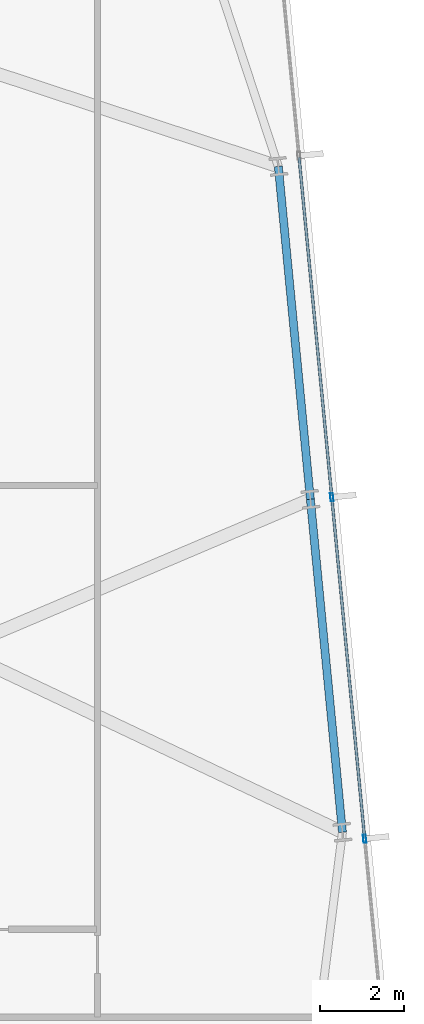
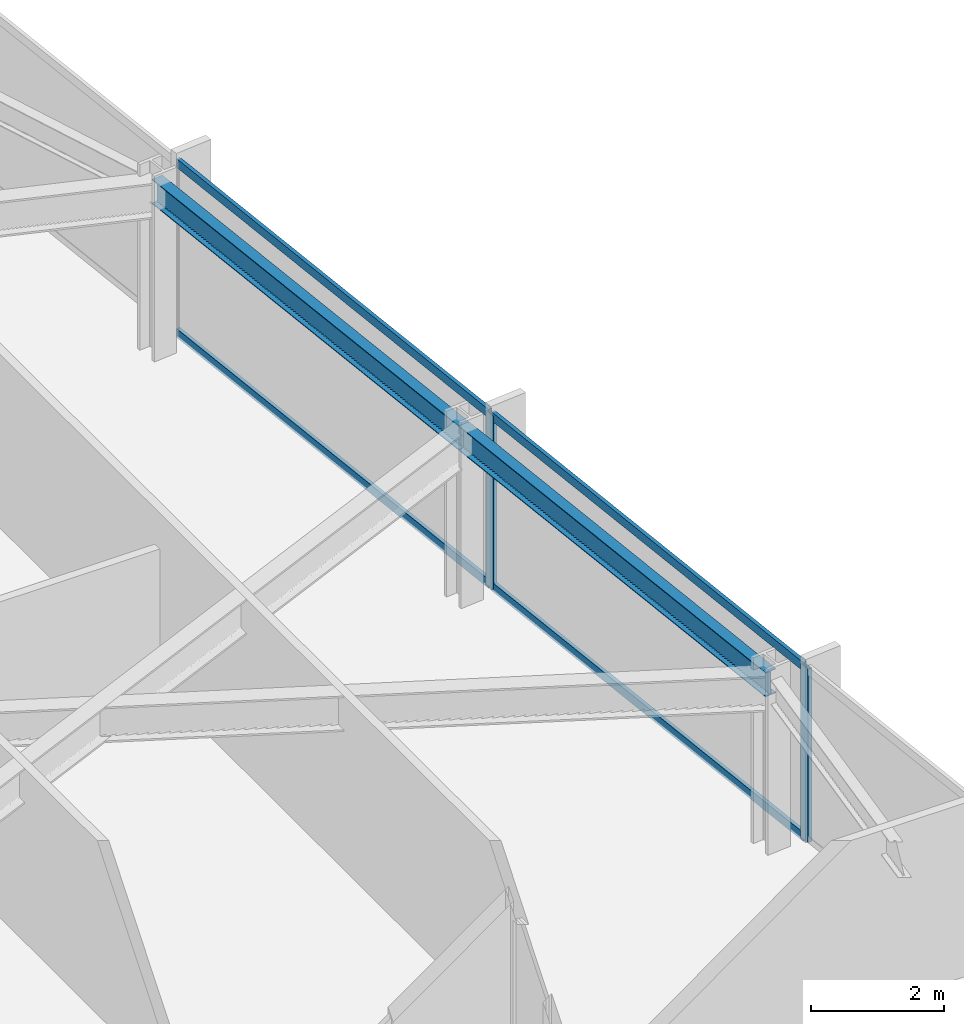
# One storey, part 16 of 33: 6 members, 2 beams, 1 element without a shape of its own.
"""IFC4 building model written with IfcOpenShell, lengths in metres."""

from ifc_helpers import new_model, si_unit, direction, frame, origin, origin_2d, place, context, subcontext, project, spatial, hollow_rectangle, i_section, extrude, material, material_profile, profile_set, type_object, element, aggregate, save


model = new_model("IFC4")

# Units and contexts
model_context = context("Model", 3, precision=1e-05, world=origin(), true_north=direction((0.0, 1.0)))
body_context = subcontext(model_context, "Body", "Model", "MODEL_VIEW")
ifc_project = project(units=[si_unit("LENGTHUNIT", "METRE"), si_unit("AREAUNIT", "SQUARE_METRE"), si_unit("VOLUMEUNIT", "CUBIC_METRE"), si_unit("PLANEANGLEUNIT", "RADIAN"), si_unit("MASSUNIT", "GRAM", prefix="KILO")], contexts=[model_context])

# Site, building, storey
site_placement = place(None, origin())
site = spatial("IfcSite", under=ifc_project, at=site_placement, CompositionType="ELEMENT")
building_placement = place(site_placement, origin())
building = spatial("IfcBuilding", under=site, at=building_placement, Name="Yelkora Congress Tower", CompositionType="ELEMENT")
storey_placement = place(building_placement, frame((0.0, 0.0, 127.10009765625)))
storey = spatial("IfcBuildingStorey", under=building, at=storey_placement, Name="L34", CompositionType="ELEMENT", Elevation=127.10009765625)

# Beams
ifc_material_1 = material(Name="Steel S355J2", Category="steel")
ifc_material_profile_1 = material_profile(ifc_material_1, i_section(OverallWidth=0.18994140625, OverallDepth=0.449951171875, WebThickness=0.009521484375, FlangeThickness=0.0146484375, FilletRadius=0.02099609375, at=origin_2d()), Name="IPE 450")
ifc_profile_set_1 = profile_set([ifc_material_profile_1], Name="Steel S355J2")
beam_type = type_object("IfcBeamType", Name="BM-SPAN-IPE450", PredefinedType="SPANDREL", material=ifc_profile_set_1)
beam_1_placement = place(storey_placement, frame((76.041259765625, 24.83349609375, 2.954833984375), z_axis=(-0.095839787071, 0.995396772757, 0.0), x_axis=(-0.995396772757, -0.095839787071, 0.0)))
element("IfcBeam", 1, at=beam_1_placement, inside=storey, type_object=beam_type, Name="L34 Perimeter Beam 11", PredefinedType="SPANDREL", context=body_context, shape_type="SweptSolid", body=[
    extrude(i_section(OverallWidth=0.18994140625, OverallDepth=0.449951171875, WebThickness=0.009521484375, FlangeThickness=0.0146484375, FilletRadius=0.02099609375, at=origin_2d()), origin(), (0.0, 0.0, 1.0), 7.9248046875),
])
beam_2_placement = place(storey_placement, frame((75.28173828125, 32.721923828125, 2.954833984375), z_axis=(-0.09583684824, 0.995397055712, 0.0), x_axis=(-0.995397055712, -0.09583684824, 0.0)))
element("IfcBeam", 2, at=beam_2_placement, inside=storey, type_object=beam_type, Name="L34 Perimeter Beam 12", PredefinedType="SPANDREL", context=body_context, shape_type="SweptSolid", body=[
    extrude(i_section(OverallWidth=0.18994140625, OverallDepth=0.449951171875, WebThickness=0.009521484375, FlangeThickness=0.0146484375, FilletRadius=0.02099609375, at=origin_2d()), origin(), (0.0, 0.0, 1.0), 7.925048828125),
])

# Curtain wall, members
ifc_material_2 = material(Name="Anodised aluminium and insulated glass", Category="aluminium")
curtain_wall_type = type_object("IfcCurtainWallType", Name="CW-SYS-B2", PredefinedType="NOTDEFINED", material=ifc_material_2)
curtain_wall_placement = place(storey_placement, origin())
curtain_wall = element("IfcCurtainWall", 3, at=curtain_wall_placement, inside=storey, type_object=curtain_wall_type, Name="L34 Unitised Curtain Wall 15", PredefinedType="NOTDEFINED")
ifc_material_3 = material(Name="Anodised aluminium 6063-T6", Category="aluminium")
ifc_material_profile_2 = material_profile(ifc_material_3, hollow_rectangle(XDim=0.070068359375, YDim=0.18994140625, WallThickness=0.00390625, at=origin_2d()), Name="ALU 70x190x4")
ifc_profile_set_2 = profile_set([ifc_material_profile_2], Name="Anodised aluminium 6063-T6")
member_type_1 = type_object("IfcMemberType", Name="MEM-ML-B2", PredefinedType="MULLION", material=ifc_profile_set_2)
member_1_placement = place(storey_placement, frame((75.789306640625, 32.770751953125, 0.0), z_axis=(0.0, 0.0, 1.0), x_axis=(0.995396507508, 0.095842541913, 0.0)))
member_1 = element("IfcMember", 4, at=member_1_placement, type_object=member_type_1, Name="CW-B2 mullion 3", PredefinedType="MULLION", context=body_context, shape_type="SweptSolid", body=[
    extrude(hollow_rectangle(XDim=0.070068359375, YDim=0.18994140625, WallThickness=0.00390625, at=origin_2d()), origin(), (0.0, 0.0, 1.0), 3.179931640625),
])
member_2_placement = place(storey_placement, frame((76.568603515625, 24.67822265625, 0.0), z_axis=(0.0, 0.0, 1.0), x_axis=(0.995396507508, 0.095842541913, 0.0)))
member_2 = element("IfcMember", 5, at=member_2_placement, type_object=member_type_1, Name="CW-B2 mullion 4", PredefinedType="MULLION", context=body_context, shape_type="SweptSolid", body=[
    extrude(hollow_rectangle(XDim=0.070068359375, YDim=0.18994140625, WallThickness=0.00390625, at=origin_2d()), origin(), (0.0, 0.0, 1.0), 3.179931640625),
])
ifc_material_profile_3 = material_profile(ifc_material_3, hollow_rectangle(XDim=0.06494140625, YDim=0.159912109375, WallThickness=0.00390625, at=origin_2d()), Name="ALU 65x160x4")
ifc_profile_set_3 = profile_set([ifc_material_profile_3], Name="Anodised aluminium 6063-T6")
member_type_2 = type_object("IfcMemberType", Name="MEM-TR-B2", PredefinedType="USERDEFINED", material=ifc_profile_set_3)
member_3_placement = place(storey_placement, frame((75.013427734375, 40.82861328125, 0.032470703125), z_axis=(0.095838228465, -0.995396922823, 0.0), x_axis=(0.995396922823, 0.095838228465, 0.0)))
member_3 = element("IfcMember", 6, at=member_3_placement, type_object=member_type_2, Name="CW-B2 transom 2.1", ObjectType="TRANSOM", PredefinedType="USERDEFINED", context=body_context, shape_type="SweptSolid", body=[
    extrude(hollow_rectangle(XDim=0.06494140625, YDim=0.159912109375, WallThickness=0.00390625, at=origin_2d()), origin(), (0.0, 0.0, 1.0), 8.06005859375),
])
member_4_placement = place(storey_placement, frame((75.013427734375, 40.82861328125, 3.1474609375), z_axis=(0.095838228465, -0.995396922823, 0.0), x_axis=(0.995396922823, 0.095838228465, 0.0)))
member_4 = element("IfcMember", 7, at=member_4_placement, type_object=member_type_2, Name="CW-B2 transom 2.2", ObjectType="TRANSOM", PredefinedType="USERDEFINED", context=body_context, shape_type="SweptSolid", body=[
    extrude(hollow_rectangle(XDim=0.06494140625, YDim=0.159912109375, WallThickness=0.00390625, at=origin_2d()), origin(), (0.0, 0.0, 1.0), 8.06005859375),
])
member_5_placement = place(storey_placement, frame((75.792724609375, 32.736083984375, 0.032470703125), z_axis=(0.095838228465, -0.995396922823, 0.0), x_axis=(0.995396922823, 0.095838228465, 0.0)))
member_5 = element("IfcMember", 8, at=member_5_placement, type_object=member_type_2, Name="CW-B2 transom 3.1", ObjectType="TRANSOM", PredefinedType="USERDEFINED", context=body_context, shape_type="SweptSolid", body=[
    extrude(hollow_rectangle(XDim=0.06494140625, YDim=0.159912109375, WallThickness=0.00390625, at=origin_2d()), origin(), (0.0, 0.0, 1.0), 8.06005859375),
])
member_6_placement = place(storey_placement, frame((75.792724609375, 32.736083984375, 3.1474609375), z_axis=(0.095838228465, -0.995396922823, 0.0), x_axis=(0.995396922823, 0.095838228465, 0.0)))
member_6 = element("IfcMember", 9, at=member_6_placement, type_object=member_type_2, Name="CW-B2 transom 3.2", ObjectType="TRANSOM", PredefinedType="USERDEFINED", context=body_context, shape_type="SweptSolid", body=[
    extrude(hollow_rectangle(XDim=0.06494140625, YDim=0.159912109375, WallThickness=0.00390625, at=origin_2d()), origin(), (0.0, 0.0, 1.0), 8.06005859375),
])
aggregate(curtain_wall, [member_1, member_2, member_3, member_4, member_5, member_6])

save(model, "model.ifc")
